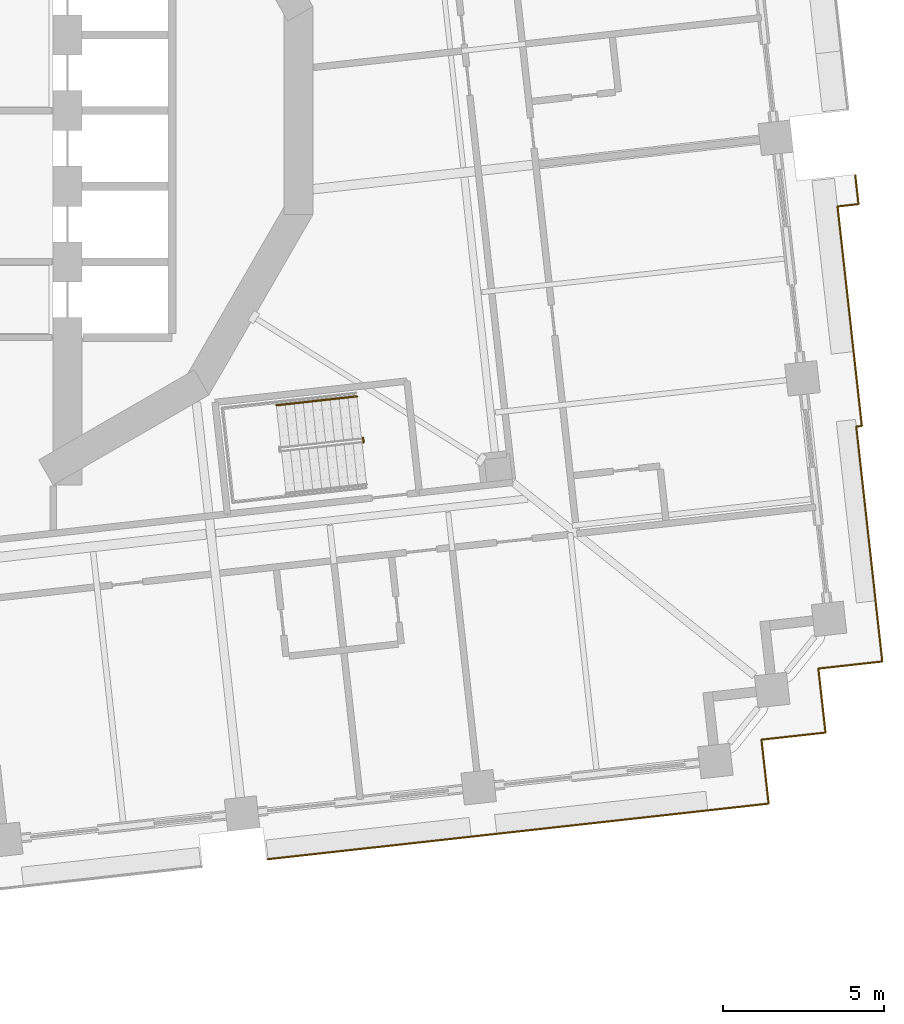
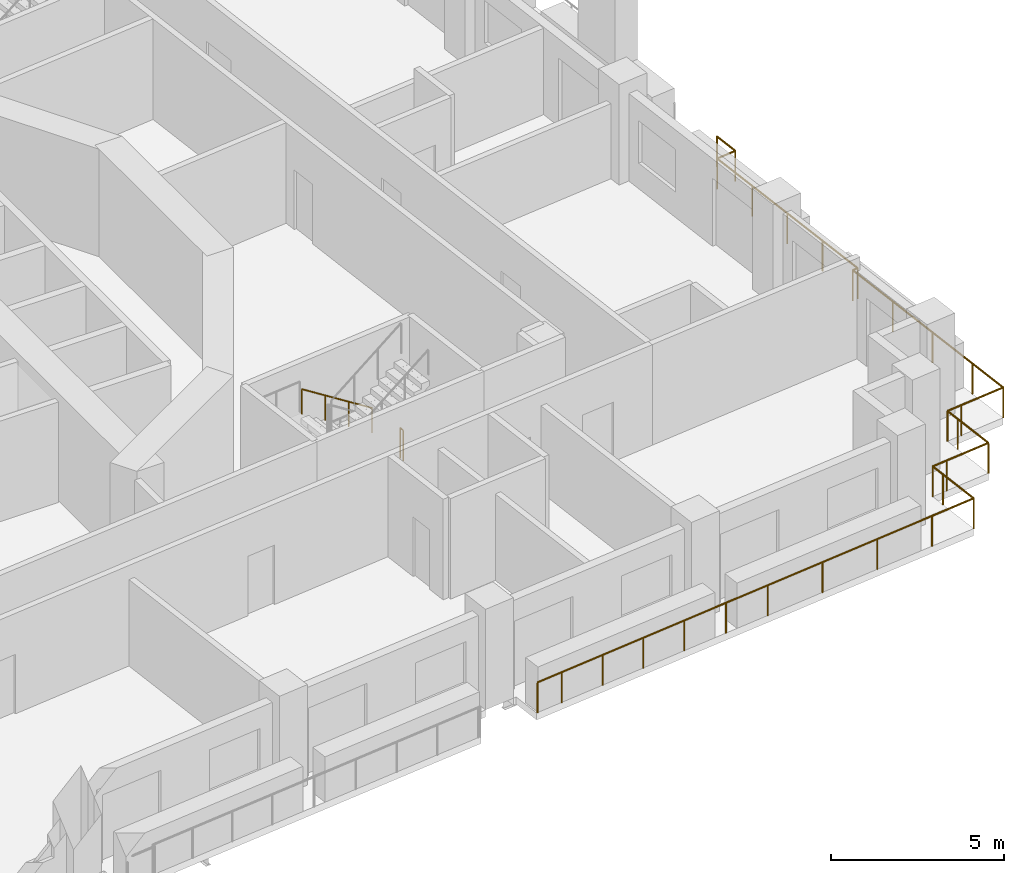
# One storey, part 17 of 21: 4 railings.
"""IFC4 building model written with IfcOpenShell, lengths in metres."""

from ifc_helpers import new_model, si_unit, direction, frame, origin, origin_2d, place, context, subcontext, project, spatial, circle, extrude, material, type_object, element, save


model = new_model("IFC4")

# Units and contexts
model_context = context("Model", 3, precision=1e-05, world=origin(), true_north=direction((0.0, 1.0)))
body_context = subcontext(model_context, "Body", "Model", "MODEL_VIEW")
ifc_project = project(units=[si_unit("LENGTHUNIT", "METRE"), si_unit("AREAUNIT", "SQUARE_METRE"), si_unit("VOLUMEUNIT", "CUBIC_METRE"), si_unit("PLANEANGLEUNIT", "RADIAN"), si_unit("MASSUNIT", "GRAM", prefix="KILO")], contexts=[model_context])

# Site, building, storey
site_placement = place(None, origin())
site = spatial("IfcSite", under=ifc_project, at=site_placement, CompositionType="ELEMENT")
building_placement = place(site_placement, origin())
building = spatial("IfcBuilding", under=site, at=building_placement, Name="Cantera Rosa Tower", CompositionType="ELEMENT")
storey_placement = place(building_placement, frame((0.0, 0.0, 61.5)))
storey = spatial("IfcBuildingStorey", under=building, at=storey_placement, Name="L12", CompositionType="ELEMENT", Elevation=61.5)

# Railings
ifc_material_1 = material(Name="Stainless steel and laminated glass", Category="steel")
railing_type_1 = type_object("IfcRailingType", Name="GUARD 1100", PredefinedType="BALUSTRADE", material=ifc_material_1)
railing_1_placement = place(storey_placement, frame((29.134765625, -9.801513671875, 0.0)))
element("IfcRailing", 1, at=railing_1_placement, inside=storey, type_object=railing_type_1, Name="GUARD L12-10", PredefinedType="BALUSTRADE", context=body_context, shape_type="SweptSolid", body=[
    extrude(circle(Radius=0.030029296875, at=origin_2d()), frame((0.0, 0.0, 1.070068359375), z_axis=(-0.993798690256, -0.11119425905, 0.0), x_axis=(0.11119425905, -0.993798690256, 0.0)), (0.0, 0.0, 1.0), 0.175537109375),
    extrude(circle(Radius=0.030029296875, at=origin_2d()), frame((-0.174560546875, -0.01953125, 1.070068359375), z_axis=(0.110284804511, -0.993900026106, 0.0), x_axis=(0.993900026106, 0.110284804511, 0.0)), (0.0, 0.0, 1.0), 5.84423828125),
    extrude(circle(Radius=0.030029296875, at=origin_2d()), frame((0.469970703125, -5.828125, 1.070068359375), z_axis=(0.110360064491, -0.993891672249, 0.0), x_axis=(0.993891672249, 0.110360064491, 0.0)), (0.0, 0.0, 1.0), 1.5),
    extrude(circle(Radius=0.030029296875, at=origin_2d()), frame((0.635498046875, -7.31884765625, 1.070068359375), z_axis=(-0.993891672249, -0.110360064491, 0.0), x_axis=(0.110360064491, -0.993891672249, 0.0)), (0.0, 0.0, 1.0), 1.5),
    extrude(circle(Radius=0.030029296875, at=origin_2d()), frame((-0.855224609375, -7.484375, 1.070068359375), z_axis=(-0.993895635261, -0.110324368158, 0.0), x_axis=(0.110324368158, -0.993895635261, 0.0)), (0.0, 0.0, 1.0), 0.500244140625),
    extrude(circle(Radius=0.030029296875, at=origin_2d()), frame((-1.352294921875, -7.53955078125, 1.070068359375), z_axis=(0.110324368158, -0.993895635261, 0.0), x_axis=(0.993895635261, 0.110324368158, 0.0)), (0.0, 0.0, 1.0), 0.500244140625),
    extrude(circle(Radius=0.030029296875, at=origin_2d()), frame((-1.297119140625, -8.03662109375, 1.070068359375), z_axis=(0.110360064491, -0.993891672249, 0.0), x_axis=(0.993891672249, 0.110360064491, 0.0)), (0.0, 0.0, 1.0), 1.5),
    extrude(circle(Radius=0.030029296875, at=origin_2d()), frame((-1.131591796875, -9.52734375, 1.070068359375), z_axis=(-0.993893654236, -0.110342213455, 0.0), x_axis=(0.110342213455, -0.993893654236, 0.0)), (0.0, 0.0, 1.0), 1.500244140625),
    extrude(circle(Radius=0.030029296875, at=origin_2d()), frame((-2.62255859375, -9.69287109375, 1.070068359375), z_axis=(-0.9938896893, -0.110377921269, 0.0), x_axis=(0.110377921269, -0.9938896893, 0.0)), (0.0, 0.0, 1.0), 0.5),
    extrude(circle(Radius=0.030029296875, at=origin_2d()), frame((-3.119384765625, -9.748046875, 1.070068359375), z_axis=(0.110377921269, -0.9938896893, 0.0), x_axis=(0.9938896893, 0.110377921269, 0.0)), (0.0, 0.0, 1.0), 0.5),
    extrude(circle(Radius=0.030029296875, at=origin_2d()), frame((-3.064208984375, -10.244873046875, 1.070068359375), z_axis=(0.110181444005, -0.99391148972, 0.0), x_axis=(0.99391148972, 0.110181444005, 0.0)), (0.0, 0.0, 1.0), 1.5),
    extrude(circle(Radius=0.030029296875, at=origin_2d()), frame((-2.89892578125, -11.73583984375, 1.070068359375), z_axis=(-0.993909513469, -0.110199269672, 0.0), x_axis=(0.110199269672, -0.993909513469, 0.0)), (0.0, 0.0, 1.0), 1.499755859375),
    extrude(circle(Radius=0.030029296875, at=origin_2d()), frame((-4.3896484375, -11.901123046875, 1.070068359375), z_axis=(-0.993896343916, -0.1103179838, 0.0), x_axis=(0.1103179838, -0.993896343916, 0.0)), (0.0, 0.0, 1.0), 5.900146484375),
    extrude(circle(Radius=0.030029296875, at=origin_2d()), frame((-10.253662109375, -12.552001953125, 1.070068359375), z_axis=(-0.993892663362, -0.110351138256, 0.0), x_axis=(0.110351138256, -0.993892663362, 0.0)), (0.0, 0.0, 1.0), 3.0),
    extrude(circle(Radius=0.030029296875, at=origin_2d()), frame((-13.2353515625, -12.883056640625, 1.070068359375), z_axis=(-0.993897260817, -0.110309722784, 0.0), x_axis=(0.110309722784, -0.993897260817, 0.0)), (0.0, 0.0, 1.0), 4.39990234375),
    extrude(circle(Radius=0.030029296875, at=origin_2d()), frame((-17.6083984375, -13.368408203125, 1.070068359375), z_axis=(-0.993900832769, -0.110277534522, 0.0), x_axis=(0.110277534522, -0.993900832769, 0.0)), (0.0, 0.0, 1.0), 0.8701171875),
    extrude(circle(Radius=0.02490234375, at=origin_2d()), origin(), (0.0, 0.0, 1.0), 1.0400390625),
    extrude(circle(Radius=0.02490234375, at=origin_2d()), frame((-0.174560546875, -0.01953125, 0.0)), (0.0, 0.0, 1.0), 1.0400390625),
    extrude(circle(Radius=0.02490234375, at=origin_2d()), frame((0.040283203125, -1.955810546875, 0.0)), (0.0, 0.0, 1.0), 1.0400390625),
    extrude(circle(Radius=0.02490234375, at=origin_2d()), frame((0.255126953125, -3.891845703125, 0.0)), (0.0, 0.0, 1.0), 1.0400390625),
    extrude(circle(Radius=0.02490234375, at=origin_2d()), frame((0.469970703125, -5.828125, 0.0)), (0.0, 0.0, 1.0), 1.0400390625),
    extrude(circle(Radius=0.02490234375, at=origin_2d()), frame((0.635498046875, -7.31884765625, 0.0)), (0.0, 0.0, 1.0), 1.0400390625),
    extrude(circle(Radius=0.02490234375, at=origin_2d()), frame((-0.855224609375, -7.484375, 0.0)), (0.0, 0.0, 1.0), 1.0400390625),
    extrude(circle(Radius=0.02490234375, at=origin_2d()), frame((-1.352294921875, -7.53955078125, 0.0)), (0.0, 0.0, 1.0), 1.0400390625),
    extrude(circle(Radius=0.02490234375, at=origin_2d()), frame((-1.297119140625, -8.03662109375, 0.0)), (0.0, 0.0, 1.0), 1.0400390625),
    extrude(circle(Radius=0.02490234375, at=origin_2d()), frame((-1.131591796875, -9.52734375, 0.0)), (0.0, 0.0, 1.0), 1.0400390625),
    extrude(circle(Radius=0.02490234375, at=origin_2d()), frame((-2.62255859375, -9.69287109375, 0.0)), (0.0, 0.0, 1.0), 1.0400390625),
    extrude(circle(Radius=0.02490234375, at=origin_2d()), frame((-3.119384765625, -9.748046875, 0.0)), (0.0, 0.0, 1.0), 1.0400390625),
    extrude(circle(Radius=0.02490234375, at=origin_2d()), frame((-3.064208984375, -10.244873046875, 0.0)), (0.0, 0.0, 1.0), 1.0400390625),
    extrude(circle(Radius=0.02490234375, at=origin_2d()), frame((-2.89892578125, -11.73583984375, 0.0)), (0.0, 0.0, 1.0), 1.0400390625),
    extrude(circle(Radius=0.02490234375, at=origin_2d()), frame((-4.3896484375, -11.901123046875, 0.0)), (0.0, 0.0, 1.0), 1.0400390625),
    extrude(circle(Radius=0.02490234375, at=origin_2d()), frame((-6.34423828125, -12.1181640625, 0.0)), (0.0, 0.0, 1.0), 1.0400390625),
    extrude(circle(Radius=0.02490234375, at=origin_2d()), frame((-8.299072265625, -12.3349609375, 0.0)), (0.0, 0.0, 1.0), 1.0400390625),
    extrude(circle(Radius=0.02490234375, at=origin_2d()), frame((-10.253662109375, -12.552001953125, 0.0)), (0.0, 0.0, 1.0), 1.0400390625),
    extrude(circle(Radius=0.02490234375, at=origin_2d()), frame((-11.74462890625, -12.717529296875, 0.0)), (0.0, 0.0, 1.0), 1.0400390625),
    extrude(circle(Radius=0.02490234375, at=origin_2d()), frame((-13.2353515625, -12.883056640625, 0.0)), (0.0, 0.0, 1.0), 1.0400390625),
    extrude(circle(Radius=0.02490234375, at=origin_2d()), frame((-14.693115234375, -13.044921875, 0.0)), (0.0, 0.0, 1.0), 1.0400390625),
    extrude(circle(Radius=0.02490234375, at=origin_2d()), frame((-16.150634765625, -13.20654296875, 0.0)), (0.0, 0.0, 1.0), 1.0400390625),
    extrude(circle(Radius=0.02490234375, at=origin_2d()), frame((-17.6083984375, -13.368408203125, 0.0)), (0.0, 0.0, 1.0), 1.0400390625),
    extrude(circle(Radius=0.02490234375, at=origin_2d()), frame((-18.47314453125, -13.46435546875, 0.0)), (0.0, 0.0, 1.0), 1.0400390625),
])
railing_2_placement = place(storey_placement, frame((28.92919921875, -2.010986328125, 0.0)))
element("IfcRailing", 2, at=railing_2_placement, inside=storey, type_object=railing_type_1, Name="GUARD L12-11", PredefinedType="BALUSTRADE", context=body_context, shape_type="SweptSolid", body=[
    extrude(circle(Radius=0.030029296875, at=origin_2d()), frame((0.0, 0.0, 1.070068359375), z_axis=(0.110550482044, -0.993870510137, 0.0), x_axis=(0.993870510137, 0.110550482044, 0.0)), (0.0, 0.0, 1.0), 0.901123046875),
    extrude(circle(Radius=0.030029296875, at=origin_2d()), frame((0.099609375, -0.8955078125, 1.070068359375), z_axis=(-0.993901893263, -0.110267976164, 0.0), x_axis=(0.110267976164, -0.993901893263, 0.0)), (0.0, 0.0, 1.0), 0.6552734375),
    extrude(circle(Radius=0.030029296875, at=origin_2d()), frame((-0.5517578125, -0.9677734375, 1.070068359375), z_axis=(0.110322228488, -0.993895872766, 0.0), x_axis=(0.993895872766, 0.110322228488, 0.0)), (0.0, 0.0, 1.0), 6.86474609375),
    extrude(circle(Radius=0.02490234375, at=origin_2d()), origin(), (0.0, 0.0, 1.0), 1.0400390625),
    extrude(circle(Radius=0.02490234375, at=origin_2d()), frame((0.099609375, -0.8955078125, 0.0)), (0.0, 0.0, 1.0), 1.0400390625),
    extrude(circle(Radius=0.02490234375, at=origin_2d()), frame((-0.5517578125, -0.9677734375, 0.0)), (0.0, 0.0, 1.0), 1.0400390625),
    extrude(circle(Radius=0.02490234375, at=origin_2d()), frame((-0.3623046875, -2.67333984375, 0.0)), (0.0, 0.0, 1.0), 1.0400390625),
    extrude(circle(Radius=0.02490234375, at=origin_2d()), frame((-0.173095703125, -4.379150390625, 0.0)), (0.0, 0.0, 1.0), 1.0400390625),
    extrude(circle(Radius=0.02490234375, at=origin_2d()), frame((0.01611328125, -6.0849609375, 0.0)), (0.0, 0.0, 1.0), 1.0400390625),
    extrude(circle(Radius=0.02490234375, at=origin_2d()), frame((0.20556640625, -7.79052734375, 0.0)), (0.0, 0.0, 1.0), 1.0400390625),
])
ifc_material_2 = material(Name="Steel S355J2 (EN 10025-2)", Category="steel")
railing_type_2 = type_object("IfcRailingType", Name="STAIR GUARD 1100", PredefinedType="GUARDRAIL", material=ifc_material_2)
railing_3_placement = place(storey_placement, frame((13.6328125, -10.16552734375, 0.0)))
element("IfcRailing", 3, at=railing_3_placement, inside=storey, type_object=railing_type_2, Name="L12 ST-14 stair guard 3", PredefinedType="GUARDRAIL", context=body_context, shape_type="SweptSolid", body=[
    extrude(circle(Radius=0.02392578125, at=origin_2d()), frame((0.0, 0.0, 1.076171875), z_axis=(0.110610055588, -0.993863881828, 0.0), x_axis=(0.993863881828, 0.110610055588, 0.0)), (0.0, 0.0, 1.0), 0.150146484375),
    extrude(circle(Radius=0.02099609375, at=origin_2d()), origin(), (0.0, 0.0, 1.0), 1.052001953125),
    extrude(circle(Radius=0.02099609375, at=origin_2d()), frame((0.0166015625, -0.149169921875, 0.0)), (0.0, 0.0, 1.0), 1.052001953125),
])
ifc_material_3 = material(Name="Steel S355J2 (EN 10025-2)", Category="steel")
railing_type_3 = type_object("IfcRailingType", Name="STAIR HANDRAIL 900", PredefinedType="HANDRAIL", material=ifc_material_3)
railing_4_placement = place(storey_placement, frame((13.439697265625, -8.87890625, 0.18994140625)))
element("IfcRailing", 4, at=railing_4_placement, inside=storey, type_object=railing_type_3, Name="L12 ST-14 stair handrail 1", PredefinedType="HANDRAIL", context=body_context, shape_type="SweptSolid", body=[
    extrude(circle(Radius=0.02392578125, at=origin_2d()), frame((0.0, 0.0, 0.8759765625), z_axis=(-0.822431337597, -0.091310000343, 0.561488360321), x_axis=(0.110346460196, -0.993893182753, 0.0)), (0.0, 0.0, 1.0), 3.04541015625),
    extrude(circle(Radius=0.02099609375, at=origin_2d()), origin(), (0.0, 0.0, 1.0), 0.851806640625),
    extrude(circle(Radius=0.02099609375, at=origin_2d()), frame((-0.8349609375, -0.0927734375, 0.570068359375)), (0.0, 0.0, 1.0), 0.851806640625),
    extrude(circle(Radius=0.02099609375, at=origin_2d()), frame((-1.669677734375, -0.185302734375, 1.139892578125)), (0.0, 0.0, 1.0), 0.851806640625),
    extrude(circle(Radius=0.02099609375, at=origin_2d()), frame((-2.504638671875, -0.278076171875, 1.7099609375)), (0.0, 0.0, 1.0), 0.851806640625),
])

save(model, "model.ifc")
